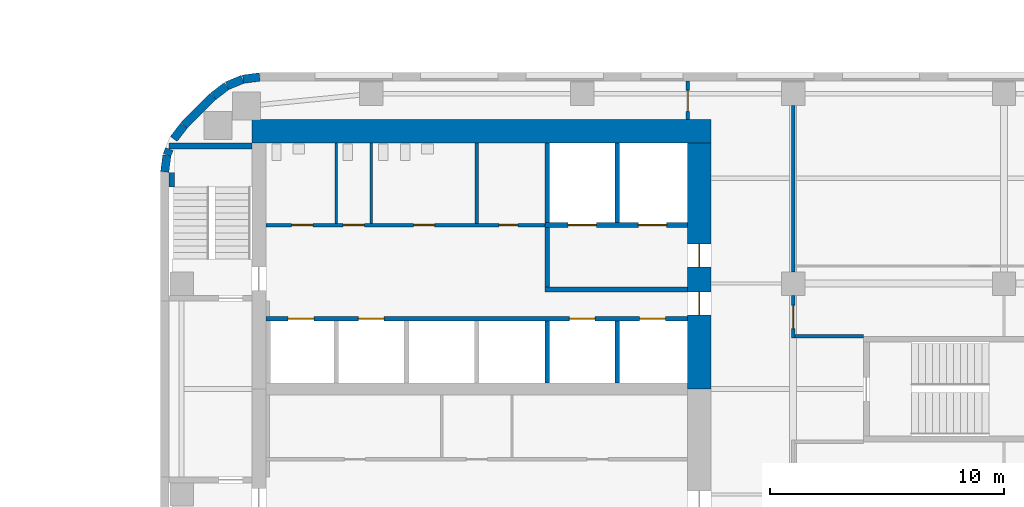
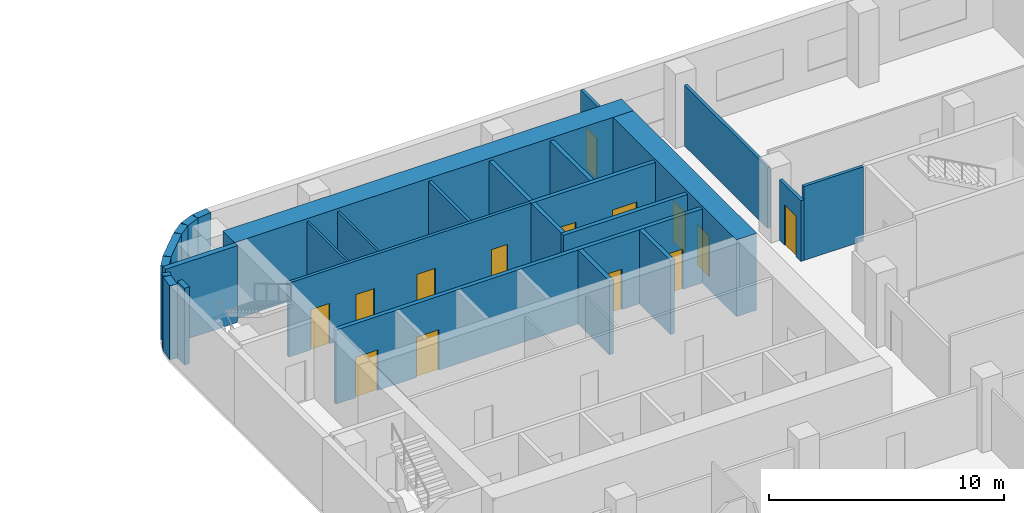
# One storey, part 11 of 16: 27 walls, 14 doors, 14 openings.
"""IFC4 building model written with IfcOpenShell, lengths in metres."""

from ifc_helpers import new_model, si_unit, direction, frame, frame_2d, origin, place, context, subcontext, project, spatial, rectangle, extrude, material, layer, layer_set, type_object, element, fill, save


model = new_model("IFC4")

# Units and contexts
model_context = context("Model", 3, precision=1e-05, world=origin(), true_north=direction((0.0, 1.0)))
body_context = subcontext(model_context, "Body", "Model", "MODEL_VIEW")
ifc_project = project(units=[si_unit("LENGTHUNIT", "METRE"), si_unit("AREAUNIT", "SQUARE_METRE"), si_unit("VOLUMEUNIT", "CUBIC_METRE"), si_unit("PLANEANGLEUNIT", "RADIAN"), si_unit("MASSUNIT", "GRAM", prefix="KILO")], contexts=[model_context])

# Site, building, storey
site_placement = place(None, origin())
site = spatial("IfcSite", under=ifc_project, at=site_placement, CompositionType="ELEMENT")
building_placement = place(site_placement, origin())
building = spatial("IfcBuilding", under=site, at=building_placement, Name="Cinnabar Reach Civic Tower", CompositionType="ELEMENT")
storey_placement = place(building_placement, frame((0.0, 0.0, 79.0)))
storey = spatial("IfcBuildingStorey", under=building, at=storey_placement, Name="L18", CompositionType="ELEMENT", Elevation=79.0)

# Walls
ifc_material_1 = material(Name="Facing brick with insulated backing", Category="masonry")
ifc_layer_1 = layer(ifc_material_1, 0.36)
ifc_layer_set_1 = layer_set([ifc_layer_1], Name="Brick corner wall")
wall_type_1 = type_object("IfcWallType", Name="Brick corner wall", PredefinedType="STANDARD", material=ifc_layer_set_1)
for number, where, z_axis, x_axis, name in (
    (1, (4.2314, 44.817, 0.0), (0.0, 0.0, 1.0), (-0.99144092581, -0.13055608231, 0.0), "Brick corner wall"),
    (2, (3.5027, 44.7181, 0.0), (0.0, 0.0, 1.0), (-0.923871547278, -0.382702709855, 0.0), "Brick corner wall"),
):
    element("IfcWall", number, at=place(storey_placement, frame(where, z_axis=z_axis, x_axis=x_axis)), inside=storey, type_object=wall_type_1, Name=name, PredefinedType="STANDARD", context=body_context, shape_type="SweptSolid", body=[
        extrude(rectangle(XDim=0.7131, YDim=0.36, at=frame_2d((0.3565, 0.0))), origin(), (0.0, 0.0, 1.0), 3.85),
    ])
for number, where, z_axis, x_axis, name in (
    (3, (2.8245, 44.434, 0.0), (0.0, 0.0, 1.0), (-0.793321924995, -0.608802368033, 0.0), "Brick corner wall"),
    (4, (1.0002, 42.7413, 0.0), (0.0, 0.0, 1.0), (-0.608802368033, -0.793321924995, 0.0), "Brick corner wall"),
):
    element("IfcWall", number, at=place(storey_placement, frame(where, z_axis=z_axis, x_axis=x_axis)), inside=storey, type_object=wall_type_1, Name=name, PredefinedType="STANDARD", context=body_context, shape_type="SweptSolid", body=[
        extrude(rectangle(XDim=0.7132, YDim=0.36, at=frame_2d((0.3566, 0.0))), origin(), (0.0, 0.0, 1.0), 3.85),
    ])
wall_1_placement = place(storey_placement, frame((0.3808, 41.736, 0.0), z_axis=(0.0, 0.0, 1.0), x_axis=(-0.382773360986, -0.923842277729, 0.0)))
element("IfcWall", 5, at=wall_1_placement, inside=storey, type_object=wall_type_1, Name="Brick corner wall", PredefinedType="STANDARD", context=body_context, shape_type="SweptSolid", body=[
    extrude(rectangle(XDim=0.2584, YDim=0.36, at=frame_2d((0.1292, 0.0))), origin(), (0.0, 0.0, 1.0), 3.85),
])
wall_2_placement = place(storey_placement, frame((0.2761, 41.4756, 0.0), z_axis=(0.0, 0.0, 1.0), x_axis=(-0.13055608231, -0.99144092581, 0.0)))
element("IfcWall", 6, at=wall_2_placement, inside=storey, type_object=wall_type_1, Name="Brick corner wall", PredefinedType="STANDARD", context=body_context, shape_type="SweptSolid", body=[
    extrude(rectangle(XDim=0.7131, YDim=0.36, at=frame_2d((0.3565, 0.0))), origin(), (0.0, 0.0, 1.0), 3.85),
])
ifc_layer_2 = layer(ifc_material_1, 0.36)
ifc_layer_set_2 = layer_set([ifc_layer_2], Name="Brick pier and spandrel wall")
wall_type_2 = type_object("IfcWallType", Name="Brick pier and spandrel wall", PredefinedType="STANDARD", material=ifc_layer_set_2)
wall_3_placement = place(storey_placement, frame((2.2486, 43.994, 0.0), z_axis=(0.0, 0.0, 1.0), x_axis=(-0.707106781187, -0.707106781187, 0.0)))
element("IfcWall", 7, at=wall_3_placement, inside=storey, type_object=wall_type_2, Name="Brick facade wall", PredefinedType="STANDARD", context=body_context, shape_type="SweptSolid", body=[
    extrude(rectangle(XDim=1.7573, YDim=0.36, at=frame_2d((0.8787, 0.0))), origin(), (0.0, 0.0, 1.0), 3.85),
])
ifc_material_2 = material(Name="Concrete C70", Category="concrete")
ifc_layer_3 = layer(ifc_material_2, 1.0)
ifc_layer_set_3 = layer_set([ifc_layer_3], Name="Core wall 1000 EI 180")
wall_type_3 = type_object("IfcWallType", Name="Core wall 1000 EI 180", PredefinedType="SOLIDWALL", material=ifc_layer_set_3)
wall_4_placement = place(storey_placement, frame((23.5, 42.5, 0.0), z_axis=(0.0, 0.0, 1.0), x_axis=(-1.0, 0.0, 0.0)))
element("IfcWall", 8, at=wall_4_placement, inside=storey, type_object=wall_type_3, Name="Core wall T1 L18 N", PredefinedType="SOLIDWALL", context=body_context, shape_type="SweptSolid", body=[
    extrude(rectangle(XDim=19.6, YDim=1.0, at=frame_2d((9.8, 0.0))), origin(), (0.0, 0.0, 1.0), 4.0),
])

# Wall, openings, doors
wall_5_placement = place(storey_placement, frame((23.0, 31.5, 0.0), z_axis=(0.0, 0.0, 1.0), x_axis=(0.0, 1.0, 0.0)))
wall_5 = element("IfcWall", 9, at=wall_5_placement, inside=storey, type_object=wall_type_3, Name="Core wall T1 L18 E2", PredefinedType="SOLIDWALL", context=body_context, shape_type="SweptSolid", body=[
    extrude(rectangle(XDim=10.5, YDim=1.0, at=frame_2d((5.25, 0.0))), origin(), (0.0, 0.0, 1.0), 4.0),
])
opening_1_placement = place(wall_5_placement, frame((3.15, 0.0, 0.0)))
opening_1 = element("IfcOpeningElement", 10, at=opening_1_placement, cuts=wall_5, Name="Opening D3727", PredefinedType="OPENING", context=body_context, shape_type="SweptSolid", body=[
    extrude(rectangle(XDim=1.0, YDim=2.1, at=frame_2d((0.5, 1.05))), frame((0.0, 0.51, 0.0), z_axis=(0.0, -1.0, 0.0), x_axis=(1.0, 0.0, 0.0)), (0.0, 0.0, 1.0), 1.02),
])
opening_2_placement = place(wall_5_placement, frame((5.2, 0.0, 0.0)))
opening_2 = element("IfcOpeningElement", 11, at=opening_2_placement, cuts=wall_5, Name="Opening D3728", PredefinedType="OPENING", context=body_context, shape_type="SweptSolid", body=[
    extrude(rectangle(XDim=1.0, YDim=2.1, at=frame_2d((0.5, 1.05))), frame((0.0, 0.51, 0.0), z_axis=(0.0, -1.0, 0.0), x_axis=(1.0, 0.0, 0.0)), (0.0, 0.0, 1.0), 1.02),
])
ifc_material_3 = material(Name="Timber door leaf in steel frame", Category="steel")
door_type_1 = type_object("IfcDoorType", Name="Firefighting lobby door 1000 x 2100 T1", OperationType="SINGLE_SWING_LEFT", PredefinedType="DOOR", material=ifc_material_3)
door_1_placement = place(opening_2_placement, origin())
door_1 = element("IfcDoor", 12, at=door_1_placement, inside=storey, type_object=door_type_1, Name="Door D3728", OperationType="SINGLE_SWING_LEFT", OverallHeight=2.1, OverallWidth=1.0, PredefinedType="DOOR", context=body_context, shape_type="SweptSolid", body=[
    extrude(rectangle(XDim=1.0, YDim=2.1, at=frame_2d((0.5, 1.05))), frame((0.0, 0.025, 0.0), z_axis=(0.0, -1.0, 0.0), x_axis=(1.0, 0.0, 0.0)), (0.0, 0.0, 1.0), 0.05),
])
fill(opening_2, door_1)
door_type_2 = type_object("IfcDoorType", Name="Single swing door 1000 x 2100 T1", OperationType="SINGLE_SWING_LEFT", PredefinedType="DOOR", material=ifc_material_3)
door_2_placement = place(opening_1_placement, origin())
door_2 = element("IfcDoor", 13, at=door_2_placement, inside=storey, type_object=door_type_2, Name="Door D3727", OperationType="SINGLE_SWING_RIGHT", OverallHeight=2.1, OverallWidth=1.0, PredefinedType="DOOR", context=body_context, shape_type="SweptSolid", body=[
    extrude(rectangle(XDim=1.0, YDim=2.1, at=frame_2d((0.5, 1.05))), frame((0.0, 0.025, 0.0), z_axis=(0.0, -1.0, 0.0), x_axis=(1.0, 0.0, 0.0)), (0.0, 0.0, 1.0), 0.05),
])
fill(opening_1, door_2)

ifc_material_4 = material(Name="Gypsum board on steel studs, double layer", Category="steel")
ifc_layer_4 = layer(ifc_material_4, 0.15)
ifc_layer_set_4 = layer_set([ifc_layer_4], Name="Corridor wall 150 T1")
wall_type_4 = type_object("IfcWallType", Name="Corridor wall 150 T1", PredefinedType="PARTITIONING", material=ifc_layer_set_4)
wall_6_placement = place(storey_placement, frame((4.5, 38.5, 0.0), z_axis=(0.0, 0.0, 1.0), x_axis=(1.0, 0.0, 0.0)))
wall_6 = element("IfcWall", 14, at=wall_6_placement, inside=storey, type_object=wall_type_4, Name="Corridor wall 28", PredefinedType="PARTITIONING", context=body_context, shape_type="SweptSolid", body=[
    extrude(rectangle(XDim=11.9, YDim=0.15, at=frame_2d((5.95, 0.0))), origin(), (0.0, 0.0, 1.0), 3.85),
])
opening_3_placement = place(wall_6_placement, frame((1.1, 0.0, 0.0)))
opening_3 = element("IfcOpeningElement", 15, at=opening_3_placement, cuts=wall_6, Name="Opening D3733", PredefinedType="OPENING", context=body_context, shape_type="SweptSolid", body=[
    extrude(rectangle(XDim=0.9, YDim=2.1, at=frame_2d((0.45, 1.05))), frame((0.0, 0.085, 0.0), z_axis=(0.0, -1.0, 0.0), x_axis=(1.0, 0.0, 0.0)), (0.0, 0.0, 1.0), 0.17),
])
opening_4_placement = place(wall_6_placement, frame((3.3, 0.0, 0.0)))
opening_4 = element("IfcOpeningElement", 16, at=opening_4_placement, cuts=wall_6, Name="Opening D3734", PredefinedType="OPENING", context=body_context, shape_type="SweptSolid", body=[
    extrude(rectangle(XDim=0.9, YDim=2.1, at=frame_2d((0.45, 1.05))), frame((0.0, 0.085, 0.0), z_axis=(0.0, -1.0, 0.0), x_axis=(1.0, 0.0, 0.0)), (0.0, 0.0, 1.0), 0.17),
])
opening_5_placement = place(wall_6_placement, frame((6.3, 0.0, 0.0)))
opening_5 = element("IfcOpeningElement", 17, at=opening_5_placement, cuts=wall_6, Name="Opening D3735", PredefinedType="OPENING", context=body_context, shape_type="SweptSolid", body=[
    extrude(rectangle(XDim=0.9, YDim=2.1, at=frame_2d((0.45, 1.05))), frame((0.0, 0.085, 0.0), z_axis=(0.0, -1.0, 0.0), x_axis=(1.0, 0.0, 0.0)), (0.0, 0.0, 1.0), 0.17),
])
opening_6_placement = place(wall_6_placement, frame((9.95, 0.0, 0.0)))
opening_6 = element("IfcOpeningElement", 18, at=opening_6_placement, cuts=wall_6, Name="Opening D3736", PredefinedType="OPENING", context=body_context, shape_type="SweptSolid", body=[
    extrude(rectangle(XDim=0.8, YDim=2.1, at=frame_2d((0.4, 1.05))), frame((0.0, 0.085, 0.0), z_axis=(0.0, -1.0, 0.0), x_axis=(1.0, 0.0, 0.0)), (0.0, 0.0, 1.0), 0.17),
])
door_type_3 = type_object("IfcDoorType", Name="Riser access door 800 x 2100 T1", OperationType="SINGLE_SWING_LEFT", PredefinedType="DOOR", material=ifc_material_3)
door_3_placement = place(opening_6_placement, origin())
door_3 = element("IfcDoor", 19, at=door_3_placement, inside=storey, type_object=door_type_3, Name="Door D3736", OperationType="SINGLE_SWING_RIGHT", OverallHeight=2.1, OverallWidth=0.8, PredefinedType="DOOR", context=body_context, shape_type="SweptSolid", body=[
    extrude(rectangle(XDim=0.8, YDim=2.1, at=frame_2d((0.4, 1.05))), frame((0.0, 0.025, 0.0), z_axis=(0.0, -1.0, 0.0), x_axis=(1.0, 0.0, 0.0)), (0.0, 0.0, 1.0), 0.05),
])
fill(opening_6, door_3)
door_type_4 = type_object("IfcDoorType", Name="Single swing door 900 x 2100 corridor T1", OperationType="SINGLE_SWING_LEFT", PredefinedType="DOOR", material=ifc_material_3)
door_4_placement = place(opening_3_placement, origin())
door_4 = element("IfcDoor", 20, at=door_4_placement, inside=storey, type_object=door_type_4, Name="Door D3733", OperationType="SINGLE_SWING_RIGHT", OverallHeight=2.1, OverallWidth=0.9, PredefinedType="DOOR", context=body_context, shape_type="SweptSolid", body=[
    extrude(rectangle(XDim=0.9, YDim=2.1, at=frame_2d((0.45, 1.05))), frame((0.0, 0.025, 0.0), z_axis=(0.0, -1.0, 0.0), x_axis=(1.0, 0.0, 0.0)), (0.0, 0.0, 1.0), 0.05),
])
fill(opening_3, door_4)
door_5_placement = place(opening_4_placement, origin())
door_5 = element("IfcDoor", 21, at=door_5_placement, inside=storey, type_object=door_type_4, Name="Door D3734", OperationType="SINGLE_SWING_LEFT", OverallHeight=2.1, OverallWidth=0.9, PredefinedType="DOOR", context=body_context, shape_type="SweptSolid", body=[
    extrude(rectangle(XDim=0.9, YDim=2.1, at=frame_2d((0.45, 1.05))), frame((0.0, 0.025, 0.0), z_axis=(0.0, -1.0, 0.0), x_axis=(1.0, 0.0, 0.0)), (0.0, 0.0, 1.0), 0.05),
])
fill(opening_4, door_5)
door_6_placement = place(opening_5_placement, origin())
door_6 = element("IfcDoor", 22, at=door_6_placement, inside=storey, type_object=door_type_4, Name="Door D3735", OperationType="SINGLE_SWING_LEFT", OverallHeight=2.1, OverallWidth=0.9, PredefinedType="DOOR", context=body_context, shape_type="SweptSolid", body=[
    extrude(rectangle(XDim=0.9, YDim=2.1, at=frame_2d((0.45, 1.05))), frame((0.0, 0.025, 0.0), z_axis=(0.0, -1.0, 0.0), x_axis=(1.0, 0.0, 0.0)), (0.0, 0.0, 1.0), 0.05),
])
fill(opening_5, door_6)

# Wall, opening, door
wall_7_placement = place(storey_placement, frame((27.0, 33.675, 0.0), z_axis=(0.0, 0.0, 1.0), x_axis=(0.0, 1.0, 0.0)))
wall_7 = element("IfcWall", 23, at=wall_7_placement, inside=storey, type_object=wall_type_4, Name="Corridor wall 29", PredefinedType="PARTITIONING", context=body_context, shape_type="SweptSolid", body=[
    extrude(rectangle(XDim=1.825, YDim=0.15, at=frame_2d((0.9125, 0.0))), origin(), (0.0, 0.0, 1.0), 3.158),
])
opening_7_placement = place(wall_7_placement, frame((0.4, 0.0, 0.0)))
opening_7 = element("IfcOpeningElement", 24, at=opening_7_placement, cuts=wall_7, Name="Opening D3737", PredefinedType="OPENING", context=body_context, shape_type="SweptSolid", body=[
    extrude(rectangle(XDim=1.0, YDim=2.1, at=frame_2d((0.5, 1.05))), frame((0.0, 0.085, 0.0), z_axis=(0.0, -1.0, 0.0), x_axis=(1.0, 0.0, 0.0)), (0.0, 0.0, 1.0), 0.17),
])
door_type_5 = type_object("IfcDoorType", Name="Tenancy entrance door 1000 x 2100 T1", OperationType="SINGLE_SWING_LEFT", PredefinedType="DOOR", material=ifc_material_3)
door_7_placement = place(opening_7_placement, frame((1.0, 0.0, 0.0), z_axis=(0.0, 0.0, 1.0), x_axis=(-1.0, 0.0, 0.0)))
door_7 = element("IfcDoor", 25, at=door_7_placement, inside=storey, type_object=door_type_5, Name="Door D3737", OperationType="SINGLE_SWING_RIGHT", OverallHeight=2.1, OverallWidth=1.0, PredefinedType="DOOR", context=body_context, shape_type="SweptSolid", body=[
    extrude(rectangle(XDim=1.0, YDim=2.1, at=frame_2d((0.5, 1.05))), frame((0.0, 0.025, 0.0), z_axis=(0.0, -1.0, 0.0), x_axis=(1.0, 0.0, 0.0)), (0.0, 0.0, 1.0), 0.05),
])
fill(opening_7, door_7)

# Walls
wall_8_placement = place(storey_placement, frame((27.0, 36.5, 0.0), z_axis=(0.0, 0.0, 1.0), x_axis=(0.0, 1.0, 0.0)))
element("IfcWall", 26, at=wall_8_placement, inside=storey, type_object=wall_type_4, Name="Corridor wall 30", PredefinedType="PARTITIONING", context=body_context, shape_type="SweptSolid", body=[
    extrude(rectangle(XDim=7.1, YDim=0.15, at=frame_2d((3.55, 0.0))), origin(), (0.0, 0.0, 1.0), 3.158),
])
wall_9_placement = place(storey_placement, frame((27.075, 33.75, 0.0), z_axis=(0.0, 0.0, 1.0), x_axis=(1.0, 0.0, 0.0)))
element("IfcWall", 27, at=wall_9_placement, inside=storey, type_object=wall_type_4, Name="Corridor wall 36", PredefinedType="PARTITIONING", context=body_context, shape_type="SweptSolid", body=[
    extrude(rectangle(XDim=2.925, YDim=0.15, at=frame_2d((1.4625, 0.0))), origin(), (0.0, 0.0, 1.0), 3.85),
])

# Wall, opening, door
wall_10_placement = place(storey_placement, frame((22.5, 43.0, 0.0), z_axis=(0.0, 0.0, 1.0), x_axis=(0.0, 1.0, 0.0)))
wall_10 = element("IfcWall", 28, at=wall_10_placement, inside=storey, type_object=wall_type_4, Name="Corridor wall 37", PredefinedType="PARTITIONING", context=body_context, shape_type="SweptSolid", body=[
    extrude(rectangle(XDim=1.64, YDim=0.15, at=frame_2d((0.82, 0.0))), origin(), (0.0, 0.0, 1.0), 3.85),
])
opening_8_placement = place(wall_10_placement, frame((0.35, 0.0, 0.0)))
opening_8 = element("IfcOpeningElement", 29, at=opening_8_placement, cuts=wall_10, Name="Opening D5782", PredefinedType="OPENING", context=body_context, shape_type="SweptSolid", body=[
    extrude(rectangle(XDim=0.9, YDim=2.1, at=frame_2d((0.45, 1.05))), frame((0.0, 0.085, 0.0), z_axis=(0.0, -1.0, 0.0), x_axis=(1.0, 0.0, 0.0)), (0.0, 0.0, 1.0), 0.17),
])
door_8_placement = place(opening_8_placement, origin())
door_8 = element("IfcDoor", 30, at=door_8_placement, inside=storey, type_object=door_type_4, Name="Door D5782", OperationType="SINGLE_SWING_LEFT", OverallHeight=2.1, OverallWidth=0.9, PredefinedType="DOOR", context=body_context, shape_type="SweptSolid", body=[
    extrude(rectangle(XDim=0.9, YDim=2.1, at=frame_2d((0.45, 1.05))), frame((0.0, 0.025, 0.0), z_axis=(0.0, -1.0, 0.0), x_axis=(1.0, 0.0, 0.0)), (0.0, 0.0, 1.0), 0.05),
])
fill(opening_8, door_8)

# Wall, openings, doors
ifc_material_5 = material(Name="Blockwork", Category="masonry")
ifc_layer_5 = layer(ifc_material_5, 0.2)
ifc_layer_set_5 = layer_set([ifc_layer_5], Name="Lift shaft wall 200 T1")
wall_type_5 = type_object("IfcWallType", Name="Lift shaft wall 200 T1", PredefinedType="PARTITIONING", material=ifc_layer_set_5)
wall_11_placement = place(storey_placement, frame((4.5, 34.5, 0.0), z_axis=(0.0, 0.0, 1.0), x_axis=(1.0, 0.0, 0.0)))
wall_11 = element("IfcWall", 31, at=wall_11_placement, inside=storey, type_object=wall_type_5, Name="Lift shaft wall 5", PredefinedType="PARTITIONING", context=body_context, shape_type="SweptSolid", body=[
    extrude(rectangle(XDim=18.0, YDim=0.2, at=frame_2d((9.0, 0.0))), origin(), (0.0, 0.0, 1.0), 3.85),
])
opening_9_placement = place(wall_11_placement, frame((0.95, 0.0, 0.0)))
opening_9 = element("IfcOpeningElement", 32, at=opening_9_placement, cuts=wall_11, Name="Opening D3720", PredefinedType="OPENING", context=body_context, shape_type="SweptSolid", body=[
    extrude(rectangle(XDim=1.1, YDim=2.1, at=frame_2d((0.55, 1.05))), frame((0.0, 0.11, 0.0), z_axis=(0.0, -1.0, 0.0), x_axis=(1.0, 0.0, 0.0)), (0.0, 0.0, 1.0), 0.22),
])
opening_10_placement = place(wall_11_placement, frame((3.95, 0.0, 0.0)))
opening_10 = element("IfcOpeningElement", 33, at=opening_10_placement, cuts=wall_11, Name="Opening D3721", PredefinedType="OPENING", context=body_context, shape_type="SweptSolid", body=[
    extrude(rectangle(XDim=1.1, YDim=2.1, at=frame_2d((0.55, 1.05))), frame((0.0, 0.11, 0.0), z_axis=(0.0, -1.0, 0.0), x_axis=(1.0, 0.0, 0.0)), (0.0, 0.0, 1.0), 0.22),
])
opening_11_placement = place(wall_11_placement, frame((12.95, 0.0, 0.0)))
opening_11 = element("IfcOpeningElement", 34, at=opening_11_placement, cuts=wall_11, Name="Opening D3722", PredefinedType="OPENING", context=body_context, shape_type="SweptSolid", body=[
    extrude(rectangle(XDim=1.1, YDim=2.1, at=frame_2d((0.55, 1.05))), frame((0.0, 0.11, 0.0), z_axis=(0.0, -1.0, 0.0), x_axis=(1.0, 0.0, 0.0)), (0.0, 0.0, 1.0), 0.22),
])
opening_12_placement = place(wall_11_placement, frame((15.95, 0.0, 0.0)))
opening_12 = element("IfcOpeningElement", 35, at=opening_12_placement, cuts=wall_11, Name="Opening D3723", PredefinedType="OPENING", context=body_context, shape_type="SweptSolid", body=[
    extrude(rectangle(XDim=1.1, YDim=2.1, at=frame_2d((0.55, 1.05))), frame((0.0, 0.11, 0.0), z_axis=(0.0, -1.0, 0.0), x_axis=(1.0, 0.0, 0.0)), (0.0, 0.0, 1.0), 0.22),
])
ifc_material_6 = material(Name="Stainless steel sliding door", Category="steel")
door_type_6 = type_object("IfcDoorType", Name="Lift landing door 1100 x 2100 T1", OperationType="SLIDING_TO_LEFT", PredefinedType="DOOR", material=ifc_material_6)
door_9_placement = place(opening_9_placement, origin())
door_9 = element("IfcDoor", 36, at=door_9_placement, inside=storey, type_object=door_type_6, Name="Lift landing door SH1 L18", OperationType="SLIDING_TO_LEFT", OverallHeight=2.1, OverallWidth=1.1, PredefinedType="DOOR", context=body_context, shape_type="SweptSolid", body=[
    extrude(rectangle(XDim=1.1, YDim=2.1, at=frame_2d((0.55, 1.05))), frame((0.0, 0.025, 0.0), z_axis=(0.0, -1.0, 0.0), x_axis=(1.0, 0.0, 0.0)), (0.0, 0.0, 1.0), 0.05),
])
fill(opening_9, door_9)
door_10_placement = place(opening_10_placement, origin())
door_10 = element("IfcDoor", 37, at=door_10_placement, inside=storey, type_object=door_type_6, Name="Lift landing door SH2 L18", OperationType="SLIDING_TO_LEFT", OverallHeight=2.1, OverallWidth=1.1, PredefinedType="DOOR", context=body_context, shape_type="SweptSolid", body=[
    extrude(rectangle(XDim=1.1, YDim=2.1, at=frame_2d((0.55, 1.05))), frame((0.0, 0.025, 0.0), z_axis=(0.0, -1.0, 0.0), x_axis=(1.0, 0.0, 0.0)), (0.0, 0.0, 1.0), 0.05),
])
fill(opening_10, door_10)
door_11_placement = place(opening_11_placement, origin())
door_11 = element("IfcDoor", 38, at=door_11_placement, inside=storey, type_object=door_type_6, Name="Lift landing door SV1 L18", OperationType="SLIDING_TO_LEFT", OverallHeight=2.1, OverallWidth=1.1, PredefinedType="DOOR", context=body_context, shape_type="SweptSolid", body=[
    extrude(rectangle(XDim=1.1, YDim=2.1, at=frame_2d((0.55, 1.05))), frame((0.0, 0.025, 0.0), z_axis=(0.0, -1.0, 0.0), x_axis=(1.0, 0.0, 0.0)), (0.0, 0.0, 1.0), 0.05),
])
fill(opening_11, door_11)
door_12_placement = place(opening_12_placement, origin())
door_12 = element("IfcDoor", 39, at=door_12_placement, inside=storey, type_object=door_type_6, Name="Lift landing door SV2 L18", OperationType="SLIDING_TO_LEFT", OverallHeight=2.1, OverallWidth=1.1, PredefinedType="DOOR", context=body_context, shape_type="SweptSolid", body=[
    extrude(rectangle(XDim=1.1, YDim=2.1, at=frame_2d((0.55, 1.05))), frame((0.0, 0.025, 0.0), z_axis=(0.0, -1.0, 0.0), x_axis=(1.0, 0.0, 0.0)), (0.0, 0.0, 1.0), 0.05),
])
fill(opening_12, door_12)

# Walls
for number, where, z_axis, x_axis, name in (
    (40, (16.5, 38.6, 0.0), (0.0, 0.0, 1.0), (0.0, 1.0, 0.0), "Lift shaft wall 6"),
    (41, (19.5, 38.6, 0.0), (0.0, 0.0, 1.0), (0.0, 1.0, 0.0), "Lift shaft wall 7"),
):
    element("IfcWall", number, at=place(storey_placement, frame(where, z_axis=z_axis, x_axis=x_axis)), inside=storey, type_object=wall_type_5, Name=name, PredefinedType="PARTITIONING", context=body_context, shape_type="SweptSolid", body=[
        extrude(rectangle(XDim=3.4, YDim=0.2, at=frame_2d((1.7, 0.0))), origin(), (0.0, 0.0, 1.0), 3.85),
    ])
for number, where, z_axis, x_axis, name in (
    (42, (16.5, 31.75, 0.0), (0.0, 0.0, 1.0), (0.0, 1.0, 0.0), "Lift shaft wall 16"),
    (43, (19.5, 31.75, 0.0), (0.0, 0.0, 1.0), (0.0, 1.0, 0.0), "Lift shaft wall 18"),
):
    element("IfcWall", number, at=place(storey_placement, frame(where, z_axis=z_axis, x_axis=x_axis)), inside=storey, type_object=wall_type_5, Name=name, PredefinedType="PARTITIONING", context=body_context, shape_type="SweptSolid", body=[
        extrude(rectangle(XDim=2.65, YDim=0.2, at=frame_2d((1.325, 0.0))), origin(), (0.0, 0.0, 1.0), 3.85),
    ])
ifc_material_7 = material(Name="Gypsum board on steel studs", Category="steel")
ifc_layer_6 = layer(ifc_material_7, 0.1)
ifc_layer_set_6 = layer_set([ifc_layer_6], Name="Partition wall 100 T1")
wall_type_6 = type_object("IfcWallType", Name="Partition wall 100 T1", PredefinedType="PARTITIONING", material=ifc_layer_set_6)
for number, where, z_axis, x_axis, name in (
    (44, (7.5, 38.575, 0.0), (0.0, 0.0, 1.0), (0.0, 1.0, 0.0), "Partition wall 58"),
    (45, (9.0, 38.575, 0.0), (0.0, 0.0, 1.0), (0.0, 1.0, 0.0), "Partition wall 59"),
):
    element("IfcWall", number, at=place(storey_placement, frame(where, z_axis=z_axis, x_axis=x_axis)), inside=storey, type_object=wall_type_6, Name=name, PredefinedType="PARTITIONING", context=body_context, shape_type="SweptSolid", body=[
        extrude(rectangle(XDim=3.425, YDim=0.1, at=frame_2d((1.7125, 0.0))), origin(), (0.0, 0.0, 1.0), 3.85),
    ])
ifc_material_8 = material(Name="Concrete C40", Category="concrete")
ifc_layer_7 = layer(ifc_material_8, 0.2)
ifc_layer_set_7 = layer_set([ifc_layer_7], Name="Refuge compartment wall 200 T1")
wall_type_7 = type_object("IfcWallType", Name="Refuge compartment wall 200 T1", PredefinedType="PARTITIONING", material=ifc_layer_set_7)
wall_12_placement = place(storey_placement, frame((16.4, 35.75, 0.0), z_axis=(0.0, 0.0, 1.0), x_axis=(1.0, 0.0, 0.0)))
element("IfcWall", 46, at=wall_12_placement, inside=storey, type_object=wall_type_7, Name="Refuge compartment wall 1", PredefinedType="PARTITIONING", context=body_context, shape_type="SweptSolid", body=[
    extrude(rectangle(XDim=6.1, YDim=0.2, at=frame_2d((3.05, 0.0))), origin(), (0.0, 0.0, 1.0), 3.85),
])

# Wall, openings, doors
wall_13_placement = place(storey_placement, frame((16.4, 38.5, 0.0), z_axis=(0.0, 0.0, 1.0), x_axis=(1.0, 0.0, 0.0)))
wall_13 = element("IfcWall", 47, at=wall_13_placement, inside=storey, type_object=wall_type_7, Name="Refuge compartment wall 2", PredefinedType="PARTITIONING", context=body_context, shape_type="SweptSolid", body=[
    extrude(rectangle(XDim=6.1, YDim=0.2, at=frame_2d((3.05, 0.0))), origin(), (0.0, 0.0, 1.0), 3.85),
])
opening_13_placement = place(wall_13_placement, frame((1.0, 0.0, 0.0)))
opening_13 = element("IfcOpeningElement", 48, at=opening_13_placement, cuts=wall_13, Name="Opening D3724", PredefinedType="OPENING", context=body_context, shape_type="SweptSolid", body=[
    extrude(rectangle(XDim=1.2, YDim=2.1, at=frame_2d((0.6, 1.05))), frame((0.0, 0.11, 0.0), z_axis=(0.0, -1.0, 0.0), x_axis=(1.0, 0.0, 0.0)), (0.0, 0.0, 1.0), 0.22),
])
opening_14_placement = place(wall_13_placement, frame((4.0, 0.0, 0.0)))
opening_14 = element("IfcOpeningElement", 49, at=opening_14_placement, cuts=wall_13, Name="Opening D3725", PredefinedType="OPENING", context=body_context, shape_type="SweptSolid", body=[
    extrude(rectangle(XDim=1.2, YDim=2.1, at=frame_2d((0.6, 1.05))), frame((0.0, 0.11, 0.0), z_axis=(0.0, -1.0, 0.0), x_axis=(1.0, 0.0, 0.0)), (0.0, 0.0, 1.0), 0.22),
])
door_type_7 = type_object("IfcDoorType", Name="Firefighting lift landing door 1200 x 2100 T1", OperationType="SLIDING_TO_LEFT", PredefinedType="DOOR", material=ifc_material_6)
door_13_placement = place(opening_13_placement, origin())
door_13 = element("IfcDoor", 50, at=door_13_placement, inside=storey, type_object=door_type_7, Name="Lift landing door FF1 L18", OperationType="SLIDING_TO_LEFT", OverallHeight=2.1, OverallWidth=1.2, PredefinedType="DOOR", context=body_context, shape_type="SweptSolid", body=[
    extrude(rectangle(XDim=1.2, YDim=2.1, at=frame_2d((0.6, 1.05))), frame((0.0, 0.025, 0.0), z_axis=(0.0, -1.0, 0.0), x_axis=(1.0, 0.0, 0.0)), (0.0, 0.0, 1.0), 0.05),
])
fill(opening_13, door_13)
door_14_placement = place(opening_14_placement, origin())
door_14 = element("IfcDoor", 51, at=door_14_placement, inside=storey, type_object=door_type_7, Name="Lift landing door FF2 L18", OperationType="SLIDING_TO_LEFT", OverallHeight=2.1, OverallWidth=1.2, PredefinedType="DOOR", context=body_context, shape_type="SweptSolid", body=[
    extrude(rectangle(XDim=1.2, YDim=2.1, at=frame_2d((0.6, 1.05))), frame((0.0, 0.025, 0.0), z_axis=(0.0, -1.0, 0.0), x_axis=(1.0, 0.0, 0.0)), (0.0, 0.0, 1.0), 0.05),
])
fill(opening_14, door_14)

# Walls
wall_14_placement = place(storey_placement, frame((16.5, 35.85, 0.0), z_axis=(0.0, 0.0, 1.0), x_axis=(0.0, 1.0, 0.0)))
element("IfcWall", 52, at=wall_14_placement, inside=storey, type_object=wall_type_7, Name="Refuge compartment wall 3", PredefinedType="PARTITIONING", context=body_context, shape_type="SweptSolid", body=[
    extrude(rectangle(XDim=2.55, YDim=0.2, at=frame_2d((1.275, 0.0))), origin(), (0.0, 0.0, 1.0), 3.85),
])
ifc_layer_8 = layer(ifc_material_5, 0.15)
ifc_layer_set_8 = layer_set([ifc_layer_8], Name="Riser wall 150 T1")
wall_type_8 = type_object("IfcWallType", Name="Riser wall 150 T1", PredefinedType="PARTITIONING", material=ifc_layer_set_8)
wall_15_placement = place(storey_placement, frame((13.5, 38.575, 0.0), z_axis=(0.0, 0.0, 1.0), x_axis=(0.0, 1.0, 0.0)))
element("IfcWall", 53, at=wall_15_placement, inside=storey, type_object=wall_type_8, Name="Riser wall 39", PredefinedType="PARTITIONING", context=body_context, shape_type="SweptSolid", body=[
    extrude(rectangle(XDim=3.425, YDim=0.15, at=frame_2d((1.7125, 0.0))), origin(), (0.0, 0.0, 1.0), 3.85),
])
ifc_material_9 = material(Name="Concrete C60", Category="concrete")
ifc_layer_9 = layer(ifc_material_9, 0.25)
ifc_layer_set_9 = layer_set([ifc_layer_9], Name="Stair shaft wall 250 EI 120")
wall_type_9 = type_object("IfcWallType", Name="Stair shaft wall 250 EI 120", PredefinedType="SOLIDWALL", material=ifc_layer_set_9)
wall_16_placement = place(storey_placement, frame((3.9, 41.875, 0.0), z_axis=(0.0, 0.0, 1.0), x_axis=(-1.0, 0.0, 0.0)))
element("IfcWall", 54, at=wall_16_placement, inside=storey, type_object=wall_type_9, Name="Stair shaft wall T1-S2 L18", PredefinedType="SOLIDWALL", context=body_context, shape_type="SweptSolid", body=[
    extrude(rectangle(XDim=3.54, YDim=0.25, at=frame_2d((1.77, 0.0))), origin(), (0.0, 0.0, 1.0), 4.0),
])
ifc_material_10 = material(Name="Concrete C40/50", Category="concrete")
ifc_layer_10 = layer(ifc_material_10, 0.24)
ifc_layer_set_10 = layer_set([ifc_layer_10], Name="T1 landing bearer wall 240")
wall_type_10 = type_object("IfcWallType", Name="T1 landing bearer wall 240", PredefinedType="STANDARD", material=ifc_layer_set_10)
wall_17_placement = place(storey_placement, frame((0.48, 40.13, 0.0), z_axis=(0.0, 0.0, 1.0), x_axis=(0.0, 1.0, 0.0)))
element("IfcWall", 55, at=wall_17_placement, inside=storey, type_object=wall_type_10, Name="T1-S2 landing bearer wall", PredefinedType="STANDARD", context=body_context, shape_type="SweptSolid", body=[
    extrude(rectangle(XDim=0.6151, YDim=0.24, at=frame_2d((0.3075, 0.0))), origin(), (0.0, 0.0, 1.0), 4.0),
])

save(model, "model.ifc")
